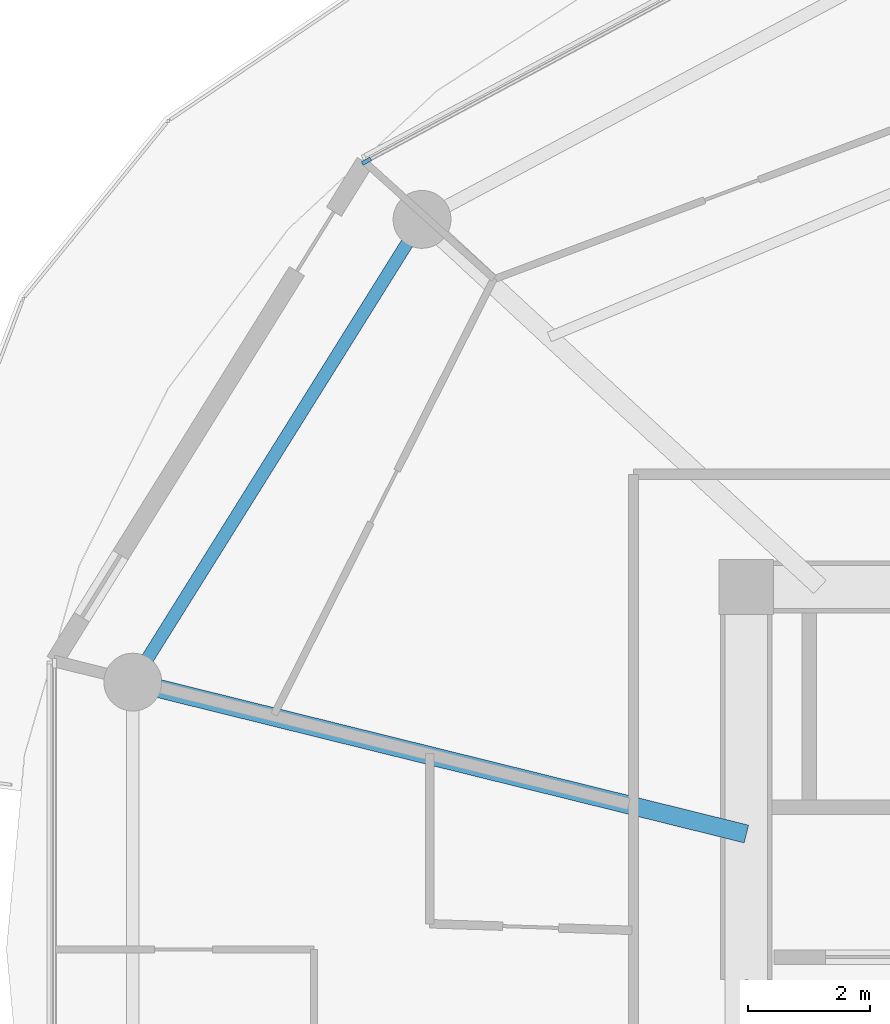
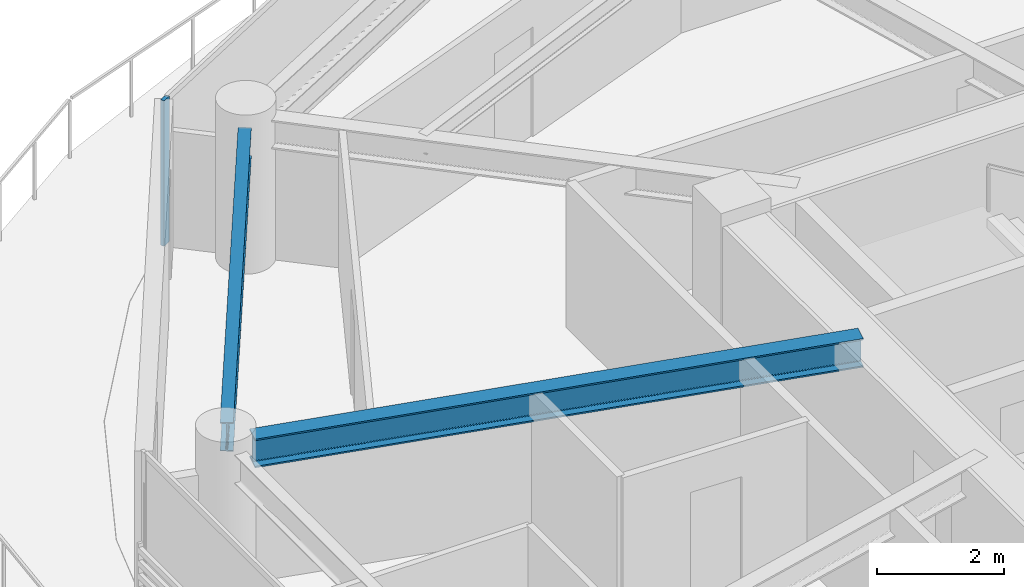
# One storey, part 8 of 27: 2 beams, 1 member, 1 element without a shape of its own.
"""IFC4 building model written with IfcOpenShell, lengths in metres."""

import ifcopenshell
import ifcopenshell.guid

model = None  # the IFC model being written
_history = None  # IfcOwnerHistory: only IFC2X3 demands one
_inside = {}  # id of a spatial element -> (the spatial element, [elements in it])
_under = {}  # id of a project, library or spatial element -> (it, [spatial elements below it])
_declared = {}  # id of a project -> (the project, [libraries it declares])
_typed = {}  # id of a type object -> (the type object, [elements of that type])
_made_of = {}  # id of a material, layer set ... -> (it, [elements and type objects made of it])


def new_model(schema):
    """Start an empty IFC model of exactly this schema.

    Asked for "IFC4X3", IfcOpenShell would pick the latest addendum, in which some entities
    have other attributes; the version numbers below select the first issue.
    IFC2X3 requires an IfcOwnerHistory on every rooted entity: one is made here for all.
    """
    global model, _history
    if schema == "IFC4X3":
        model = ifcopenshell.file(schema_version=(4, 3, 0, 0))
    else:
        model = ifcopenshell.file(schema=schema)
    _inside.clear()
    _under.clear()
    _declared.clear()
    _typed.clear()
    _made_of.clear()
    _history = None
    if model.schema == "IFC2X3":
        org = make("IfcOrganization", Name="unknown")
        user = make(
            "IfcPersonAndOrganization",
            ThePerson=make("IfcPerson", FamilyName="unknown"),
            TheOrganization=org,
        )
        app = make(
            "IfcApplication",
            ApplicationDeveloper=org,
            Version="unknown",
            ApplicationFullName="unknown",
            ApplicationIdentifier="unknown",
        )
        _history = make(
            "IfcOwnerHistory",
            OwningUser=user,
            OwningApplication=app,
            ChangeAction="ADDED",
            CreationDate=0,
        )
    return model


def make(cls, **values):
    """One entity of the class cls with the attributes given. An attribute that is None is left unset."""
    return model.create_entity(
        cls, **{name: value for name, value in values.items() if value is not None}
    )


def rooted(cls, **values):
    """An entity with a GlobalId (a new one), such as an element, a storey or a relation."""
    return make(cls, GlobalId=ifcopenshell.guid.new(), OwnerHistory=_history, **values)


def si_unit(unit_type, name, prefix=None):
    """IfcSIUnit, for example si_unit("LENGTHUNIT", "METRE", prefix="MILLI")."""
    return make("IfcSIUnit", UnitType=unit_type, Prefix=prefix, Name=name)


def assignment(units):
    """IfcUnitAssignment: the units of a project."""
    return None if units is None else make("IfcUnitAssignment", Units=units)


def point(xyz):
    """IfcCartesianPoint."""
    return None if xyz is None else make("IfcCartesianPoint", Coordinates=xyz)


def direction(xyz):
    """IfcDirection."""
    return None if xyz is None else make("IfcDirection", DirectionRatios=xyz)


def frame(location, z_axis=None, x_axis=None):
    """IfcAxis2Placement3D, a coordinate frame: its origin and axes. An axis left out is left unset."""
    return make(
        "IfcAxis2Placement3D",
        Location=point(location),
        Axis=direction(z_axis),
        RefDirection=direction(x_axis),
    )


def frame_2d(location, x_axis=None):
    """IfcAxis2Placement2D, a coordinate frame in the plane: its origin and x axis."""
    return make(
        "IfcAxis2Placement2D", Location=point(location), RefDirection=direction(x_axis)
    )


def origin():
    """The frame at (0, 0, 0) with its axes left unset."""
    return frame((0.0, 0.0, 0.0))


def origin_2d():
    """The frame at (0, 0) in the plane with its x axis left unset."""
    return frame_2d((0.0, 0.0))


def place(relative_to, where):
    """IfcLocalPlacement: puts the frame where relative to a parent placement (None: the world)."""
    return make(
        "IfcLocalPlacement", PlacementRelTo=relative_to, RelativePlacement=where
    )


def context(
    kind, dimensions, precision=None, world=None, true_north=None, identifier=None
):
    """IfcGeometricRepresentationContext, for example the 3D "Model" context."""
    return make(
        "IfcGeometricRepresentationContext",
        ContextIdentifier=identifier,
        ContextType=kind,
        CoordinateSpaceDimension=dimensions,
        Precision=precision,
        WorldCoordinateSystem=world,
        TrueNorth=true_north,
    )


def subcontext(parent, identifier, kind, view, scale=None):
    """IfcGeometricRepresentationSubContext, for example "Body" below "Model"."""
    return make(
        "IfcGeometricRepresentationSubContext",
        ContextIdentifier=identifier,
        ContextType=kind,
        ParentContext=parent,
        TargetScale=scale,
        TargetView=view,
    )


def project(units=None, contexts=None):
    """IfcProject with its units and contexts."""
    return rooted(
        "IfcProject",
        Name="project",
        RepresentationContexts=contexts,
        UnitsInContext=assignment(units),
    )


def spatial(cls, under=None, at=None, **own):
    """A site, building, storey or space (cls), placed at a placement, below another one or the project."""
    s = rooted(cls, ObjectPlacement=at, **own)
    if under is not None:
        _under.setdefault(under.id(), (under, []))[1].append(s)
    return s


def profile(cls, at=None, kind="AREA", **sizes):
    """A parametric profile (cls). Its sizes go by their IFC names, for example OverallWidth=200.0."""
    return make(cls, ProfileType=kind, Position=at, **sizes)


def rectangle(**sizes):
    """IfcRectangleProfileDef."""
    return profile("IfcRectangleProfileDef", **sizes)


def i_section(**sizes):
    """IfcIShapeProfileDef."""
    return profile("IfcIShapeProfileDef", **sizes)


def extrude(swept, where, along, depth):
    """IfcExtrudedAreaSolid: the profile swept, set in the frame where, extruded along a direction by depth."""
    return make(
        "IfcExtrudedAreaSolid",
        SweptArea=swept,
        Position=where,
        ExtrudedDirection=direction(along),
        Depth=depth,
    )


def shape(context_of_items, identifier, shape_type, items):
    """IfcShapeRepresentation: the items that make up one representation, for example the "Body"."""
    return make(
        "IfcShapeRepresentation",
        ContextOfItems=context_of_items,
        RepresentationIdentifier=identifier,
        RepresentationType=shape_type,
        Items=items,
    )


def source(mapping_origin, context_of_items, identifier, shape_type, items):
    """IfcRepresentationMap: a shape defined once, which mapped items show again and again."""
    return make(
        "IfcRepresentationMap",
        MappingOrigin=mapping_origin,
        MappedRepresentation=shape(context_of_items, identifier, shape_type, items),
    )


def transform(
    local_origin,
    x_axis=None,
    y_axis=None,
    z_axis=None,
    scale=None,
    scale2=None,
    scale3=None,
    uniform=True,
):
    """IfcCartesianTransformationOperator3D, or its non-uniform kind. x_axis, y_axis, z_axis: its Axis1, 2, 3."""
    if uniform:
        return make(
            "IfcCartesianTransformationOperator3D",
            Axis1=direction(x_axis),
            Axis2=direction(y_axis),
            LocalOrigin=point(local_origin),
            Scale=scale,
            Axis3=direction(z_axis),
        )
    return make(
        "IfcCartesianTransformationOperator3DnonUniform",
        Axis1=direction(x_axis),
        Axis2=direction(y_axis),
        LocalOrigin=point(local_origin),
        Scale=scale,
        Axis3=direction(z_axis),
        Scale2=scale2,
        Scale3=scale3,
    )


def mapped(mapping_source, mapping_target):
    """IfcMappedItem: shows the shape of a source again, moved by a transform."""
    return make(
        "IfcMappedItem", MappingSource=mapping_source, MappingTarget=mapping_target
    )


def material(Name=None, Category=None):
    """IfcMaterial."""
    return make("IfcMaterial", Name=Name, Category=Category)


def layer(
    of_material, thickness, ventilated=None, Name=None, Category=None, Priority=None
):
    """IfcMaterialLayer: one layer of a wall or slab, of a material (None: an air gap)."""
    return make(
        "IfcMaterialLayer",
        Material=of_material,
        LayerThickness=thickness,
        IsVentilated=ventilated,
        Name=Name,
        Category=Category,
        Priority=Priority,
    )


def layer_set(layers, Name=None):
    """IfcMaterialLayerSet."""
    return make("IfcMaterialLayerSet", MaterialLayers=layers, LayerSetName=Name)


def material_profile(
    of_material, cross_section, Name=None, Category=None, Priority=None
):
    """IfcMaterialProfile: a cross section and its material."""
    return make(
        "IfcMaterialProfile",
        Name=Name,
        Material=of_material,
        Profile=cross_section,
        Priority=Priority,
        Category=Category,
    )


def profile_set(profiles, Name=None, composite=None):
    """IfcMaterialProfileSet."""
    return make(
        "IfcMaterialProfileSet",
        Name=Name,
        MaterialProfiles=profiles,
        CompositeProfile=composite,
    )


def made_of(thing, what):
    """Note that an element or type object is made of a material, layer set ...; save() writes the relation."""
    if what is not None:
        _made_of.setdefault(what.id(), (what, []))[1].append(thing)
    return thing


def type_object(cls, material=None, **own):
    """A type object (cls), such as IfcWallType, which elements share."""
    return made_of(rooted(cls, **own), material)


def type_shapes(of_type, sources):
    """Give a type object the sources (RepresentationMaps) that its elements show as mapped items."""
    of_type.RepresentationMaps = sources


def element(
    cls,
    number,
    at=None,
    inside=None,
    cuts=None,
    type_object=None,
    material=None,
    context=None,
    identifier="Body",
    shape_type=None,
    held_by="IfcProductDefinitionShape",
    body=None,
    shapes=None,
    **own,
):
    """One element of the class cls, such as IfcWall. Its Tag is "e" and its number.

    at: its placement. inside: the storey or other place that contains it. cuts: it is an
    opening in that element (IfcRelVoidsElement). A single representation is given by context,
    identifier, shape_type and body (its items); several are given by shapes. held_by: the class
    of the entity that holds the representations. save() writes the other relations.
    """
    e = rooted(cls, Tag="e%d" % number, ObjectPlacement=at, **own)
    if body is not None:
        shapes = [shape(context, identifier, shape_type, body)]
    if shapes is not None:
        e.Representation = make(held_by, Representations=shapes)
    if inside is not None:
        _inside.setdefault(inside.id(), (inside, []))[1].append(e)
    if cuts is not None:
        rooted(
            "IfcRelVoidsElement", RelatingBuildingElement=cuts, RelatedOpeningElement=e
        )
    if type_object is not None:
        _typed.setdefault(type_object.id(), (type_object, []))[1].append(e)
    return made_of(e, material)


def aggregate(whole, parts):
    """IfcRelAggregates: a whole, such as a stair, and the parts it consists of."""
    return rooted("IfcRelAggregates", RelatingObject=whole, RelatedObjects=parts)


def save(model, path):
    """Write the relations noted so far, then the file.

    IfcRelAggregates (storeys below a building ...), IfcRelContainedInSpatialStructure (elements
    in a storey), IfcRelDefinesByType, IfcRelAssociatesMaterial and IfcRelDeclares: one each for
    every whole, place, type object, material and project.
    """
    for whole, parts in _under.values():
        aggregate(whole, parts)
    for where, things in _inside.values():
        rooted(
            "IfcRelContainedInSpatialStructure",
            RelatedElements=things,
            RelatingStructure=where,
        )
    for kind, things in _typed.values():
        rooted("IfcRelDefinesByType", RelatedObjects=things, RelatingType=kind)
    for what, things in _made_of.values():
        rooted("IfcRelAssociatesMaterial", RelatedObjects=things, RelatingMaterial=what)
    for by, libraries in _declared.values():
        rooted("IfcRelDeclares", RelatingContext=by, RelatedDefinitions=libraries)
    model.write(path)


model = new_model("IFC4")

# Units and contexts
model_context = context("Model", 3, precision=1e-05, world=origin(), true_north=direction((0.0, 1.0)))
body_context = subcontext(model_context, "Body", "Model", "MODEL_VIEW")
ifc_project = project(units=[si_unit("LENGTHUNIT", "METRE"), si_unit("AREAUNIT", "SQUARE_METRE"), si_unit("VOLUMEUNIT", "CUBIC_METRE"), si_unit("PLANEANGLEUNIT", "RADIAN"), si_unit("MASSUNIT", "GRAM", prefix="KILO")], contexts=[model_context])

# Site, building, storey
site_placement = place(None, origin())
site = spatial("IfcSite", under=ifc_project, at=site_placement, CompositionType="ELEMENT")
building_placement = place(site_placement, origin())
building = spatial("IfcBuilding", under=site, at=building_placement, Name="Norrkilde Senior Care Towers", CompositionType="ELEMENT")
storey_placement = place(building_placement, frame((0.0, 0.0, 58.199951171875)))
storey = spatial("IfcBuildingStorey", under=building, at=storey_placement, Name="L17", CompositionType="ELEMENT", Elevation=58.199951171875)

# Beams
ifc_material_1 = material(Name="Steel S355", Category="steel")
ifc_material_profile_1 = material_profile(ifc_material_1, i_section(OverallWidth=0.2099609375, OverallDepth=0.550048828125, WebThickness=0.010986328125, FlangeThickness=0.01708984375, FilletRadius=0.02392578125, at=origin_2d()), Name="IPE 550")
ifc_profile_set_1 = profile_set([ifc_material_profile_1], Name="Steel S355")
beam_type_1 = type_object("IfcBeamType", Name="Perimeter Ring Spandrel Z1 IPE550", PredefinedType="SPANDREL", material=ifc_profile_set_1)
shared_shape_1 = source(origin(), body_context, "Body", "SweptSolid", [
    extrude(i_section(OverallWidth=0.2099609375, OverallDepth=0.550048828125, WebThickness=0.010986328125, FlangeThickness=0.01708984375, FilletRadius=0.02392578125, at=origin_2d()), origin(), (0.0, 0.0, 1.0), 8.090576171875),
])
type_shapes(beam_type_1, [shared_shape_1])
beam_1_placement = place(storey_placement, frame((14.7939453125, 11.61669921875, 2.51513671875), z_axis=(-0.530004364821, -0.84799491347, 0.0), x_axis=(0.84799491347, -0.530004364821, 0.0)))
element("IfcBeam", 1, at=beam_1_placement, inside=storey, type_object=beam_type_1, Name="L17 Drum E Perimeter Spandrel 05", PredefinedType="SPANDREL", context=body_context, shape_type="MappedRepresentation", body=[
    mapped(shared_shape_1, transform((0.0, 0.0, 0.0), x_axis=(1.0, 0.0, 0.0), y_axis=(0.0, 1.0, 0.0), z_axis=(0.0, 0.0, 1.0), scale=1.0)),
])
ifc_material_profile_2 = material_profile(ifc_material_1, i_section(OverallWidth=0.300048828125, OverallDepth=0.550048828125, WebThickness=0.014892578125, FlangeThickness=0.029052734375, FilletRadius=0.027099609375, at=origin_2d()), Name="HEB 550")
ifc_profile_set_2 = profile_set([ifc_material_profile_2], Name="Steel S355")
beam_type_2 = type_object("IfcBeamType", Name="Radial Floor Beam Z1 HEB550", PredefinedType="BEAM", material=ifc_profile_set_2)
shared_shape_2 = source(origin(), body_context, "Body", "SweptSolid", [
    extrude(i_section(OverallWidth=0.300048828125, OverallDepth=0.550048828125, WebThickness=0.014892578125, FlangeThickness=0.029052734375, FilletRadius=0.027099609375, at=origin_2d()), origin(), (0.0, 0.0, 1.0), 9.94384765625),
])
type_shapes(beam_type_2, [shared_shape_2])
beam_2_placement = place(storey_placement, frame((20.35009765625, 1.893310546875, 2.51513671875), z_axis=(-0.970707425182, 0.240264634718, 0.0), x_axis=(-0.240264634718, -0.970707425182, 0.0)))
element("IfcBeam", 2, at=beam_2_placement, inside=storey, type_object=beam_type_2, Name="L17 Drum E Radial Floor Beam 06", PredefinedType="BEAM", context=body_context, shape_type="MappedRepresentation", body=[
    mapped(shared_shape_2, transform((0.0, 0.0, 0.0), x_axis=(1.0, 0.0, 0.0), y_axis=(0.0, 1.0, 0.0), z_axis=(0.0, 0.0, 1.0), scale=1.0)),
])

# Curtain wall, member
ifc_material_2 = material(Name="Triple Low-E Insulated Glazing", Category="glass")
ifc_layer = layer(ifc_material_2, 0.199951171875)
ifc_layer_set = layer_set([ifc_layer], Name="Triple Low-E Insulated Glazing")
curtain_wall_type = type_object("IfcCurtainWallType", Name="CW2 Zone 1 Memory Care Curtain Wall", PredefinedType="NOTDEFINED", material=ifc_layer_set)
curtain_wall_placement = place(storey_placement, origin())
curtain_wall = element("IfcCurtainWall", 3, at=curtain_wall_placement, inside=storey, type_object=curtain_wall_type, Name="L17 Drum E Curtain Wall 03", PredefinedType="NOTDEFINED")
ifc_material_3 = material(Name="Anodised Aluminium", Category="aluminium")
ifc_material_profile_3 = material_profile(ifc_material_3, rectangle(XDim=0.06494140625, YDim=0.159912109375, at=origin_2d()), Name="ALU MULL 65x160")
ifc_profile_set_3 = profile_set([ifc_material_profile_3], Name="Anodised Aluminium")
member_type = type_object("IfcMemberType", Name="Curtain Wall Mullion Z1-Z2 65x160", PredefinedType="MULLION", material=ifc_profile_set_3)
shared_shape_3 = source(origin(), body_context, "Body", "SweptSolid", [
    extrude(rectangle(XDim=0.06494140625, YDim=0.159912109375, at=origin_2d()), origin(), (0.0, 0.0, 1.0), 2.7900390625),
])
type_shapes(member_type, [shared_shape_3])
member_placement = place(storey_placement, frame((14.11279296875, 12.941162109375, 0.0), z_axis=(0.0, 0.0, 1.0), x_axis=(-0.472607802456, 0.881272866403, 0.0)))
member = element("IfcMember", 4, at=member_placement, type_object=member_type, Name="CW-2 mullion 1", PredefinedType="MULLION", context=body_context, shape_type="MappedRepresentation", body=[
    mapped(shared_shape_3, transform((0.0, 0.0, 0.0), x_axis=(1.0, 0.0, 0.0), y_axis=(0.0, 1.0, 0.0), z_axis=(0.0, 0.0, 1.0), scale=1.0)),
])
aggregate(curtain_wall, [member])

save(model, "model.ifc")
